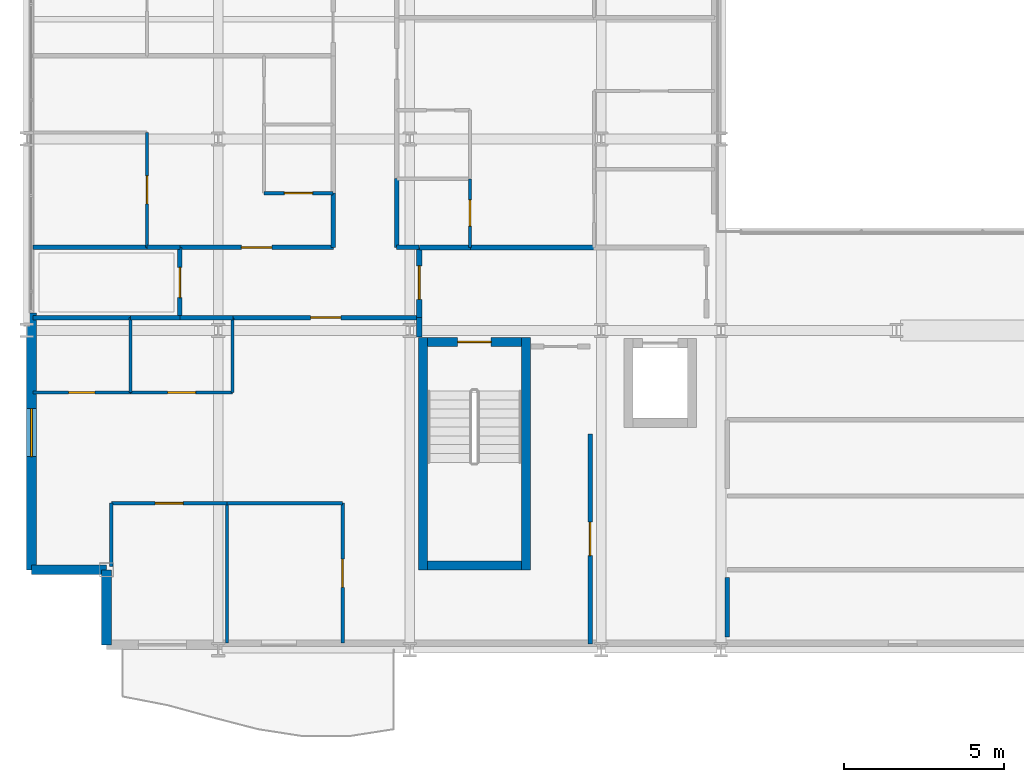
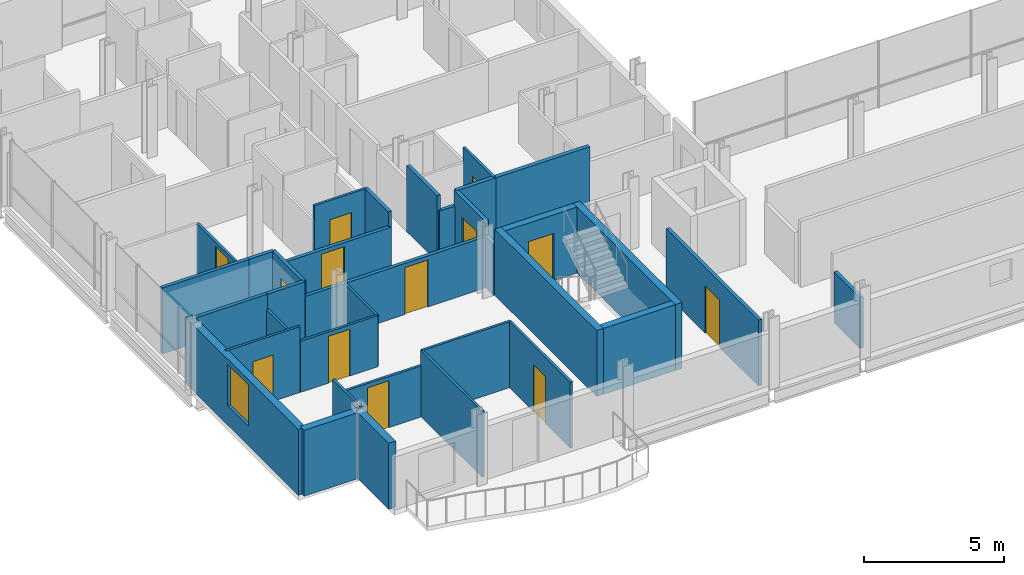
# One storey, part 31 of 41: 36 walls, 13 doors, 1 window, 14 openings.
"""IFC4 building model written with IfcOpenShell, lengths in metres."""

from ifc_helpers import new_model, si_unit, direction, frame, frame_2d, origin, place, context, subcontext, project, spatial, rectangle, extrude, material, layer, layer_set, type_object, element, fill, save


model = new_model("IFC4")

# Units and contexts
model_context = context("Model", 3, precision=1e-05, world=origin(), true_north=direction((0.0, 1.0)))
body_context = subcontext(model_context, "Body", "Model", "MODEL_VIEW")
ifc_project = project(units=[si_unit("LENGTHUNIT", "METRE"), si_unit("AREAUNIT", "SQUARE_METRE"), si_unit("VOLUMEUNIT", "CUBIC_METRE"), si_unit("PLANEANGLEUNIT", "RADIAN"), si_unit("MASSUNIT", "GRAM", prefix="KILO")], contexts=[model_context])

# Site, building, storey
site_placement = place(None, origin())
site = spatial("IfcSite", under=ifc_project, at=site_placement, CompositionType="ELEMENT")
building_placement = place(site_placement, origin())
building = spatial("IfcBuilding", under=site, at=building_placement, Name="Brevholm Reach", CompositionType="ELEMENT")
storey_placement = place(building_placement, frame((0.0, 0.0, 86.89990234375)))
storey = spatial("IfcBuildingStorey", under=building, at=storey_placement, Name="L25", CompositionType="ELEMENT", Elevation=86.89990234375)

# Walls
ifc_material_1 = material(Name="Concrete C50/60", Category="concrete")
ifc_layer_1 = layer(ifc_material_1, 0.280029296875)
ifc_layer_set_1 = layer_set([ifc_layer_1], Name="Concrete C50/60")
wall_type_1 = type_object("IfcWallType", Name="WAL-COR-280", PredefinedType="SHEAR", material=ifc_layer_set_1)
for number, where, z_axis, x_axis, name in (
    (1, (12.409912109375, 2.5, 0.0), (0.0, 0.0, 1.0), (0.0, 1.0, 0.0), "L25 Escape Stair ST-1 Core Wall W"),
    (2, (15.639892578125, 2.5, 0.0), (0.0, 0.0, 1.0), (0.0, 1.0, 0.0), "L25 Escape Stair ST-1 Core Wall E"),
):
    element("IfcWall", number, at=place(storey_placement, frame(where, z_axis=z_axis, x_axis=x_axis)), inside=storey, type_object=wall_type_1, Name=name, PredefinedType="SHEAR", context=body_context, shape_type="SweptSolid", body=[
        extrude(rectangle(XDim=7.280029296875, YDim=0.280029296875, at=frame_2d((3.64013671875, 0.0))), origin(), (0.0, 0.0, 1.0), 2.8701171875),
    ])
wall_1_placement = place(storey_placement, frame((12.550048828125, 2.639892578125, 0.0), z_axis=(0.0, 0.0, 1.0), x_axis=(1.0, 0.0, 0.0)))
element("IfcWall", 3, at=wall_1_placement, inside=storey, type_object=wall_type_1, Name="L25 Escape Stair ST-1 Core Wall S", PredefinedType="SHEAR", context=body_context, shape_type="SweptSolid", body=[
    extrude(rectangle(XDim=2.949951171875, YDim=0.280029296875, at=frame_2d((1.47509765625, 0.0))), origin(), (0.0, 0.0, 1.0), 2.8701171875),
])

# Wall, opening, door
wall_2_placement = place(storey_placement, frame((15.5, 9.639892578125, 0.0), z_axis=(0.0, 0.0, 1.0), x_axis=(-1.0, 0.0, 0.0)))
wall_2 = element("IfcWall", 4, at=wall_2_placement, inside=storey, type_object=wall_type_1, Name="L25 Escape Stair ST-1 Core Wall N", PredefinedType="SHEAR", context=body_context, shape_type="SweptSolid", body=[
    extrude(rectangle(XDim=2.949951171875, YDim=0.280029296875, at=frame_2d((1.47509765625, 0.0))), origin(), (0.0, 0.0, 1.0), 2.8701171875),
])
opening_1_placement = place(wall_2_placement, frame((0.949951171875, 0.0, 0.0)))
opening_1 = element("IfcOpeningElement", 5, at=opening_1_placement, cuts=wall_2, Name="Opening SD-ST-1", PredefinedType="OPENING", context=body_context, shape_type="SweptSolid", body=[
    extrude(rectangle(XDim=1.050048828125, YDim=2.06005859375, at=frame_2d((0.52490234375, 1.030029296875))), frame((0.0, 0.14990234375, 0.0), z_axis=(0.0, -1.0, 0.0), x_axis=(1.0, 0.0, 0.0)), (0.0, 0.0, 1.0), 0.300048828125),
])
ifc_material_2 = material(Name="Hardwood-Lipped Steel-Core Fire and Smoke Door", Category="steel")
door_type_1 = type_object("IfcDoorType", Name="DOR-INT-FD60S", OperationType="NOTDEFINED", PredefinedType="DOOR", material=ifc_material_2)
door_1_placement = place(opening_1_placement, origin())
door_1 = element("IfcDoor", 6, at=door_1_placement, inside=storey, type_object=door_type_1, Name="L25 Protected Stair ST-1 Lobby Door", OperationType="SINGLE_SWING_LEFT", OverallHeight=2.06005859375, OverallWidth=1.050048828125, PredefinedType="DOOR", context=body_context, shape_type="SweptSolid", body=[
    extrude(rectangle(XDim=1.050048828125, YDim=2.06005859375, at=frame_2d((0.52490234375, 1.030029296875))), frame((0.0, 0.02490234375, 0.0), z_axis=(0.0, -1.0, 0.0), x_axis=(1.0, 0.0, 0.0)), (0.0, 0.0, 1.0), 0.050048828125),
])
fill(opening_1, door_1)

# Walls
ifc_material_3 = material(Name="Concrete C40/50", Category="concrete")
ifc_layer_2 = layer(ifc_material_3, 0.300048828125)
ifc_layer_set_2 = layer_set([ifc_layer_2], Name="Concrete C40/50")
wall_type_2 = type_object("IfcWallType", Name="WAL-EXT-300", PredefinedType="STANDARD", material=ifc_layer_set_2)
for number, where, z_axis, x_axis, name in (
    (7, (2.5, 2.5, 0.0), (0.0, 0.0, 1.0), (0.0, -1.0, 0.0), "L25 Facade Wall WAL-L25-CSW1"),
    (8, (0.14990234375, 2.5, 0.0), (0.0, 0.0, 1.0), (1.0, 0.0, 0.0), "L25 Facade Wall WAL-L25-CSW2"),
):
    element("IfcWall", number, at=place(storey_placement, frame(where, z_axis=z_axis, x_axis=x_axis)), inside=storey, type_object=wall_type_2, Name=name, PredefinedType="STANDARD", context=body_context, shape_type="SweptSolid", body=[
        extrude(rectangle(XDim=2.35009765625, YDim=0.300048828125, at=frame_2d((1.175048828125, 0.0))), origin(), (0.0, 0.0, 1.0), 2.8701171875),
    ])

# Wall, opening, window
wall_3_placement = place(storey_placement, frame((0.14990234375, 10.550048828125, 0.0), z_axis=(0.0, 0.0, 1.0), x_axis=(0.0, -1.0, 0.0)))
wall_3 = element("IfcWall", 9, at=wall_3_placement, inside=storey, type_object=wall_type_2, Name="L25 Facade Wall WAL-L25-W-S", PredefinedType="STANDARD", context=body_context, shape_type="SweptSolid", body=[
    extrude(rectangle(XDim=8.050048828125, YDim=0.300048828125, at=frame_2d((4.02490234375, 0.0))), origin(), (0.0, 0.0, 1.0), 2.8701171875),
])
opening_2_placement = place(wall_3_placement, frame((3.0, 0.0, 0.85009765625)))
opening_2 = element("IfcOpeningElement", 10, at=opening_2_placement, cuts=wall_3, Name="Opening WN-05", PredefinedType="OPENING", context=body_context, shape_type="SweptSolid", body=[
    extrude(rectangle(XDim=1.5, YDim=1.800048828125, at=frame_2d((0.75, 0.89990234375))), frame((0.0, 0.159912109375, 0.0), z_axis=(0.0, -1.0, 0.0), x_axis=(1.0, 0.0, 0.0)), (0.0, 0.0, 1.0), 0.320068359375),
])
ifc_material_4 = material(Name="Dark Anodised Aluminium and Solar-Control IGU Glass", Category="aluminium")
window_type = type_object("IfcWindowType", Name="WIN-RES-1500", PartitioningType="SINGLE_PANEL", PredefinedType="WINDOW", material=ifc_material_4)
window_placement = place(opening_2_placement, origin())
window = element("IfcWindow", 11, at=window_placement, inside=storey, type_object=window_type, Name="L25 Window WIN-L25-WS-1", OverallHeight=1.800048828125, OverallWidth=1.5, PartitioningType="SINGLE_PANEL", PredefinedType="WINDOW", context=body_context, shape_type="SweptSolid", body=[
    extrude(rectangle(XDim=1.5, YDim=1.800048828125, at=frame_2d((0.75, 0.89990234375))), frame((0.0, 0.030029296875, 0.0), z_axis=(0.0, -1.0, 0.0), x_axis=(1.0, 0.0, 0.0)), (0.0, 0.0, 1.0), 0.06005859375),
])
fill(opening_2, window)

# Wall
ifc_material_5 = material(Name="Moisture-Resistant Acoustic Gypsum Stud Partition 100 mm", Category="gypsum")
ifc_layer_3 = layer(ifc_material_5, 0.10009765625)
ifc_layer_set_3 = layer_set([ifc_layer_3], Name="Moisture-Resistant Acoustic Gypsum Stud Partition 100 mm")
wall_type_3 = type_object("IfcWallType", Name="WAL-PRT-100", PredefinedType="PARTITIONING", material=ifc_layer_set_3)
wall_4_placement = place(storey_placement, frame((3.25, 8.053955078125, 0.0), z_axis=(0.0, 0.0, 1.0), x_axis=(0.0, 1.0, 0.0)))
element("IfcWall", 12, at=wall_4_placement, inside=storey, type_object=wall_type_3, Name="L25 Internal Partition 062", PredefinedType="PARTITIONING", context=body_context, shape_type="SweptSolid", body=[
    extrude(rectangle(XDim=2.345947265625, YDim=0.10009765625, at=frame_2d((1.1728515625, 0.0))), origin(), (0.0, 0.0, 1.0), 2.224853515625),
])

# Wall, opening, door
wall_5_placement = place(storey_placement, frame((0.199951171875, 8.053955078125, 0.0), z_axis=(0.0, 0.0, 1.0), x_axis=(1.0, 0.0, 0.0)))
wall_5 = element("IfcWall", 13, at=wall_5_placement, inside=storey, type_object=wall_type_3, Name="L25 Internal Partition 063", PredefinedType="PARTITIONING", context=body_context, shape_type="SweptSolid", body=[
    extrude(rectangle(XDim=3.050048828125, YDim=0.10009765625, at=frame_2d((1.52490234375, 0.0))), origin(), (0.0, 0.0, 1.0), 2.8701171875),
])
opening_3_placement = place(wall_5_placement, frame((1.114990234375, 0.0, 0.0)))
opening_3 = element("IfcOpeningElement", 14, at=opening_3_placement, cuts=wall_5, Name="Opening ID-03", PredefinedType="OPENING", context=body_context, shape_type="SweptSolid", body=[
    extrude(rectangle(XDim=0.820068359375, YDim=2.02001953125, at=frame_2d((0.41015625, 1.010009765625))), frame((0.0, 0.06005859375, 0.0), z_axis=(0.0, -1.0, 0.0), x_axis=(1.0, 0.0, 0.0)), (0.0, 0.0, 1.0), 0.1201171875),
])
ifc_material_6 = material(Name="Moisture-Resistant Painted Timber Internal Bathroom Door", Category="wood")
door_type_2 = type_object("IfcDoorType", Name="DOR-BATH-820", OperationType="NOTDEFINED", PredefinedType="DOOR", material=ifc_material_6)
door_2_placement = place(opening_3_placement, origin())
door_2 = element("IfcDoor", 15, at=door_2_placement, inside=storey, type_object=door_type_2, Name="L25 Internal Door 024", OperationType="SINGLE_SWING_LEFT", OverallHeight=2.02001953125, OverallWidth=0.820068359375, PredefinedType="DOOR", context=body_context, shape_type="SweptSolid", body=[
    extrude(rectangle(XDim=0.820068359375, YDim=2.02001953125, at=frame_2d((0.41015625, 1.010009765625))), frame((0.0, 0.02490234375, 0.0), z_axis=(0.0, -1.0, 0.0), x_axis=(1.0, 0.0, 0.0)), (0.0, 0.0, 1.0), 0.050048828125),
])
fill(opening_3, door_2)

wall_6_placement = place(storey_placement, frame((3.25390625, 8.053955078125, 0.0), z_axis=(0.0, 0.0, 1.0), x_axis=(1.0, 0.0, 0.0)))
wall_6 = element("IfcWall", 16, at=wall_6_placement, inside=storey, type_object=wall_type_3, Name="L25 Internal Partition 065", PredefinedType="PARTITIONING", context=body_context, shape_type="SweptSolid", body=[
    extrude(rectangle(XDim=3.196044921875, YDim=0.10009765625, at=frame_2d((1.59814453125, 0.0))), origin(), (0.0, 0.0, 1.0), 2.224853515625),
])
opening_4_placement = place(wall_6_placement, frame((1.157958984375, 0.0, 0.0)))
opening_4 = element("IfcOpeningElement", 17, at=opening_4_placement, cuts=wall_6, Name="Opening ID-01", PredefinedType="OPENING", context=body_context, shape_type="SweptSolid", body=[
    extrude(rectangle(XDim=0.8798828125, YDim=2.0400390625, at=frame_2d((0.43994140625, 1.02001953125))), frame((0.0, 0.06005859375, 0.0), z_axis=(0.0, -1.0, 0.0), x_axis=(1.0, 0.0, 0.0)), (0.0, 0.0, 1.0), 0.1201171875),
])
ifc_material_7 = material(Name="Lacquered Ash Solid-Core Acoustic Internal Door", Category="timber")
door_type_3 = type_object("IfcDoorType", Name="DOR-INT-880", OperationType="NOTDEFINED", PredefinedType="DOOR", material=ifc_material_7)
door_3_placement = place(opening_4_placement, origin())
door_3 = element("IfcDoor", 18, at=door_3_placement, inside=storey, type_object=door_type_3, Name="L25 Internal Door 025", OperationType="SINGLE_SWING_RIGHT", OverallHeight=2.0400390625, OverallWidth=0.8798828125, PredefinedType="DOOR", context=body_context, shape_type="SweptSolid", body=[
    extrude(rectangle(XDim=0.8798828125, YDim=2.0400390625, at=frame_2d((0.43994140625, 1.02001953125))), frame((0.0, 0.02490234375, 0.0), z_axis=(0.0, -1.0, 0.0), x_axis=(1.0, 0.0, 0.0)), (0.0, 0.0, 1.0), 0.050048828125),
])
fill(opening_4, door_3)

# Walls
wall_7_placement = place(storey_placement, frame((6.449951171875, 8.053955078125, 0.0), z_axis=(0.0, 0.0, 1.0), x_axis=(0.0, 1.0, 0.0)))
element("IfcWall", 19, at=wall_7_placement, inside=storey, type_object=wall_type_3, Name="L25 Internal Partition 066", PredefinedType="PARTITIONING", context=body_context, shape_type="SweptSolid", body=[
    extrude(rectangle(XDim=2.342041015625, YDim=0.10009765625, at=frame_2d((1.1708984375, 0.0))), origin(), (0.0, 0.0, 1.0), 2.224853515625),
])
wall_8_placement = place(storey_placement, frame((6.27490234375, 0.199951171875, 0.0), z_axis=(0.0, 0.0, 1.0), x_axis=(0.0, 1.0, 0.0)))
element("IfcWall", 20, at=wall_8_placement, inside=storey, type_object=wall_type_3, Name="L25 Internal Partition 068", PredefinedType="PARTITIONING", context=body_context, shape_type="SweptSolid", body=[
    extrude(rectangle(XDim=4.385986328125, YDim=0.10009765625, at=frame_2d((2.19287109375, 0.0))), origin(), (0.0, 0.0, 1.0), 2.8701171875),
])
wall_9_placement = place(storey_placement, frame((2.64990234375, 2.599365234375, 0.0), z_axis=(0.0, 0.0, 1.0), x_axis=(0.0, 1.0, 0.0)))
element("IfcWall", 21, at=wall_9_placement, inside=storey, type_object=wall_type_3, Name="L25 Internal Partition 069", PredefinedType="PARTITIONING", context=body_context, shape_type="SweptSolid", body=[
    extrude(rectangle(XDim=1.986572265625, YDim=0.10009765625, at=frame_2d((0.9931640625, 0.0))), origin(), (0.0, 0.0, 1.0), 2.8701171875),
])

# Wall, opening, door
wall_10_placement = place(storey_placement, frame((2.64990234375, 4.5859375, 0.0), z_axis=(0.0, 0.0, 1.0), x_axis=(1.0, 0.0, 0.0)))
wall_10 = element("IfcWall", 22, at=wall_10_placement, inside=storey, type_object=wall_type_3, Name="L25 Internal Partition 070", PredefinedType="PARTITIONING", context=body_context, shape_type="SweptSolid", body=[
    extrude(rectangle(XDim=3.625, YDim=0.10009765625, at=frame_2d((1.8125, 0.0))), origin(), (0.0, 0.0, 1.0), 2.224853515625),
])
opening_5_placement = place(wall_10_placement, frame((1.37255859375, 0.0, 0.0)))
opening_5 = element("IfcOpeningElement", 23, at=opening_5_placement, cuts=wall_10, Name="Opening ID-01", PredefinedType="OPENING", context=body_context, shape_type="SweptSolid", body=[
    extrude(rectangle(XDim=0.8798828125, YDim=2.0400390625, at=frame_2d((0.43994140625, 1.02001953125))), frame((0.0, 0.06005859375, 0.0), z_axis=(0.0, -1.0, 0.0), x_axis=(1.0, 0.0, 0.0)), (0.0, 0.0, 1.0), 0.1201171875),
])
door_4_placement = place(opening_5_placement, origin())
door_4 = element("IfcDoor", 24, at=door_4_placement, inside=storey, type_object=door_type_3, Name="L25 Internal Door 026", OperationType="SINGLE_SWING_LEFT", OverallHeight=2.0400390625, OverallWidth=0.8798828125, PredefinedType="DOOR", context=body_context, shape_type="SweptSolid", body=[
    extrude(rectangle(XDim=0.8798828125, YDim=2.0400390625, at=frame_2d((0.43994140625, 1.02001953125))), frame((0.0, 0.02490234375, 0.0), z_axis=(0.0, -1.0, 0.0), x_axis=(1.0, 0.0, 0.0)), (0.0, 0.0, 1.0), 0.050048828125),
])
fill(opening_5, door_4)

wall_11_placement = place(storey_placement, frame((9.89990234375, 0.199951171875, 0.0), z_axis=(0.0, 0.0, 1.0), x_axis=(0.0, 1.0, 0.0)))
wall_11 = element("IfcWall", 25, at=wall_11_placement, inside=storey, type_object=wall_type_3, Name="L25 Internal Partition 071", PredefinedType="PARTITIONING", context=body_context, shape_type="SweptSolid", body=[
    extrude(rectangle(XDim=4.385986328125, YDim=0.10009765625, at=frame_2d((2.19287109375, 0.0))), origin(), (0.0, 0.0, 1.0), 2.8701171875),
])
opening_6_placement = place(wall_11_placement, frame((1.7529296875, 0.0, 0.0)))
opening_6 = element("IfcOpeningElement", 26, at=opening_6_placement, cuts=wall_11, Name="Opening ID-01", PredefinedType="OPENING", context=body_context, shape_type="SweptSolid", body=[
    extrude(rectangle(XDim=0.8798828125, YDim=2.0400390625, at=frame_2d((0.43994140625, 1.02001953125))), frame((0.0, 0.06005859375, 0.0), z_axis=(0.0, -1.0, 0.0), x_axis=(1.0, 0.0, 0.0)), (0.0, 0.0, 1.0), 0.1201171875),
])
door_5_placement = place(opening_6_placement, origin())
door_5 = element("IfcDoor", 27, at=door_5_placement, inside=storey, type_object=door_type_3, Name="L25 Internal Door 027", OperationType="SINGLE_SWING_RIGHT", OverallHeight=2.0400390625, OverallWidth=0.8798828125, PredefinedType="DOOR", context=body_context, shape_type="SweptSolid", body=[
    extrude(rectangle(XDim=0.8798828125, YDim=2.0400390625, at=frame_2d((0.43994140625, 1.02001953125))), frame((0.0, 0.02490234375, 0.0), z_axis=(0.0, -1.0, 0.0), x_axis=(1.0, 0.0, 0.0)), (0.0, 0.0, 1.0), 0.050048828125),
])
fill(opening_6, door_5)

# Wall
wall_12_placement = place(storey_placement, frame((6.279052734375, 4.5859375, 0.0), z_axis=(0.0, 0.0, 1.0), x_axis=(1.0, 0.0, 0.0)))
element("IfcWall", 28, at=wall_12_placement, inside=storey, type_object=wall_type_3, Name="L25 Internal Partition 072", PredefinedType="PARTITIONING", context=body_context, shape_type="SweptSolid", body=[
    extrude(rectangle(XDim=3.620849609375, YDim=0.10009765625, at=frame_2d((1.810546875, 0.0))), origin(), (0.0, 0.0, 1.0), 2.8701171875),
])

# Wall, opening, door
wall_13_placement = place(storey_placement, frame((7.43798828125, 14.300048828125, 0.0), z_axis=(0.0, 0.0, 1.0), x_axis=(1.0, 0.0, 0.0)))
wall_13 = element("IfcWall", 29, at=wall_13_placement, inside=storey, type_object=wall_type_3, Name="L25 Internal Partition 088", PredefinedType="PARTITIONING", context=body_context, shape_type="SweptSolid", body=[
    extrude(rectangle(XDim=2.157958984375, YDim=0.10009765625, at=frame_2d((1.0791015625, 0.0))), origin(), (0.0, 0.0, 1.0), 2.8701171875),
])
opening_7_placement = place(wall_13_placement, frame((0.638916015625, 0.0, 0.0)))
opening_7 = element("IfcOpeningElement", 30, at=opening_7_placement, cuts=wall_13, Name="Opening ID-01", PredefinedType="OPENING", context=body_context, shape_type="SweptSolid", body=[
    extrude(rectangle(XDim=0.8798828125, YDim=2.0400390625, at=frame_2d((0.43994140625, 1.02001953125))), frame((0.0, 0.06005859375, 0.0), z_axis=(0.0, -1.0, 0.0), x_axis=(1.0, 0.0, 0.0)), (0.0, 0.0, 1.0), 0.1201171875),
])
door_6_placement = place(opening_7_placement, origin())
door_6 = element("IfcDoor", 31, at=door_6_placement, inside=storey, type_object=door_type_3, Name="L25 Internal Door 032", OperationType="SINGLE_SWING_LEFT", OverallHeight=2.0400390625, OverallWidth=0.8798828125, PredefinedType="DOOR", context=body_context, shape_type="SweptSolid", body=[
    extrude(rectangle(XDim=0.8798828125, YDim=2.0400390625, at=frame_2d((0.43994140625, 1.02001953125))), frame((0.0, 0.02490234375, 0.0), z_axis=(0.0, -1.0, 0.0), x_axis=(1.0, 0.0, 0.0)), (0.0, 0.0, 1.0), 0.050048828125),
])
fill(opening_7, door_6)

wall_14_placement = place(storey_placement, frame((3.77197265625, 12.60400390625, 0.0), z_axis=(0.0, 0.0, 1.0), x_axis=(0.0, 1.0, 0.0)))
wall_14 = element("IfcWall", 32, at=wall_14_placement, inside=storey, type_object=wall_type_3, Name="L25 Internal Partition 090", PredefinedType="PARTITIONING", context=body_context, shape_type="SweptSolid", body=[
    extrude(rectangle(XDim=3.595947265625, YDim=0.10009765625, at=frame_2d((1.7978515625, 0.0))), origin(), (0.0, 0.0, 1.0), 2.224853515625),
])
opening_8_placement = place(wall_14_placement, frame((1.35791015625, 0.0, 0.0)))
opening_8 = element("IfcOpeningElement", 33, at=opening_8_placement, cuts=wall_14, Name="Opening ID-01", PredefinedType="OPENING", context=body_context, shape_type="SweptSolid", body=[
    extrude(rectangle(XDim=0.8798828125, YDim=2.0400390625, at=frame_2d((0.43994140625, 1.02001953125))), frame((0.0, 0.06005859375, 0.0), z_axis=(0.0, -1.0, 0.0), x_axis=(1.0, 0.0, 0.0)), (0.0, 0.0, 1.0), 0.1201171875),
])
door_7_placement = place(opening_8_placement, origin())
door_7 = element("IfcDoor", 34, at=door_7_placement, inside=storey, type_object=door_type_3, Name="L25 Internal Door 033", OperationType="SINGLE_SWING_RIGHT", OverallHeight=2.0400390625, OverallWidth=0.8798828125, PredefinedType="DOOR", context=body_context, shape_type="SweptSolid", body=[
    extrude(rectangle(XDim=0.8798828125, YDim=2.0400390625, at=frame_2d((0.43994140625, 1.02001953125))), frame((0.0, 0.02490234375, 0.0), z_axis=(0.0, -1.0, 0.0), x_axis=(1.0, 0.0, 0.0)), (0.0, 0.0, 1.0), 0.050048828125),
])
fill(opening_8, door_7)

wall_15_placement = place(storey_placement, frame((13.888916015625, 12.60400390625, 0.0), z_axis=(0.0, 0.0, 1.0), x_axis=(0.0, 1.0, 0.0)))
wall_15 = element("IfcWall", 35, at=wall_15_placement, inside=storey, type_object=wall_type_3, Name="L25 Internal Partition 110", PredefinedType="PARTITIONING", context=body_context, shape_type="SweptSolid", body=[
    extrude(rectangle(XDim=2.14599609375, YDim=0.10009765625, at=frame_2d((1.072998046875, 0.0))), origin(), (0.0, 0.0, 1.0), 2.8701171875),
])
opening_9_placement = place(wall_15_placement, frame((0.6630859375, 0.0, 0.0)))
opening_9 = element("IfcOpeningElement", 36, at=opening_9_placement, cuts=wall_15, Name="Opening ID-03", PredefinedType="OPENING", context=body_context, shape_type="SweptSolid", body=[
    extrude(rectangle(XDim=0.820068359375, YDim=2.02001953125, at=frame_2d((0.41015625, 1.010009765625))), frame((0.0, 0.06005859375, 0.0), z_axis=(0.0, -1.0, 0.0), x_axis=(1.0, 0.0, 0.0)), (0.0, 0.0, 1.0), 0.1201171875),
])
door_8_placement = place(opening_9_placement, origin())
door_8 = element("IfcDoor", 37, at=door_8_placement, inside=storey, type_object=door_type_2, Name="L25 Internal Door 040", OperationType="SINGLE_SWING_LEFT", OverallHeight=2.02001953125, OverallWidth=0.820068359375, PredefinedType="DOOR", context=body_context, shape_type="SweptSolid", body=[
    extrude(rectangle(XDim=0.820068359375, YDim=2.02001953125, at=frame_2d((0.41015625, 1.010009765625))), frame((0.0, 0.02490234375, 0.0), z_axis=(0.0, -1.0, 0.0), x_axis=(1.0, 0.0, 0.0)), (0.0, 0.0, 1.0), 0.050048828125),
])
fill(opening_9, door_8)

ifc_material_8 = material(Name="Twin-Stud Acoustic Fire-Rated Gypsum Partition 140 mm", Category="gypsum")
ifc_layer_4 = layer(ifc_material_8, 0.139892578125)
ifc_layer_set_4 = layer_set([ifc_layer_4], Name="Twin-Stud Acoustic Fire-Rated Gypsum Partition 140 mm")
wall_type_4 = type_object("IfcWallType", Name="WAL-PRT-140", PredefinedType="PARTITIONING", material=ifc_layer_set_4)
wall_16_placement = place(storey_placement, frame((17.64990234375, 0.179931640625, 0.0), z_axis=(0.0, 0.0, 1.0), x_axis=(0.0, 1.0, 0.0)))
wall_16 = element("IfcWall", 38, at=wall_16_placement, inside=storey, type_object=wall_type_4, Name="L25 Internal Partition 006", PredefinedType="PARTITIONING", context=body_context, shape_type="SweptSolid", body=[
    extrude(rectangle(XDim=6.581298828125, YDim=0.139892578125, at=frame_2d((3.29052734375, 0.0))), origin(), (0.0, 0.0, 1.0), 2.8701171875),
])
opening_10_placement = place(wall_16_placement, frame((2.765625, 0.0, 0.0)))
opening_10 = element("IfcOpeningElement", 39, at=opening_10_placement, cuts=wall_16, Name="Opening FD-01", PredefinedType="OPENING", context=body_context, shape_type="SweptSolid", body=[
    extrude(rectangle(XDim=1.050048828125, YDim=2.06005859375, at=frame_2d((0.52490234375, 1.030029296875))), frame((0.0, 0.079833984375, 0.0), z_axis=(0.0, -1.0, 0.0), x_axis=(1.0, 0.0, 0.0)), (0.0, 0.0, 1.0), 0.159912109375),
])
door_9_placement = place(opening_10_placement, origin())
door_9 = element("IfcDoor", 40, at=door_9_placement, inside=storey, type_object=door_type_1, Name="L25 Internal Door 004", OperationType="SINGLE_SWING_LEFT", OverallHeight=2.06005859375, OverallWidth=1.050048828125, PredefinedType="DOOR", context=body_context, shape_type="SweptSolid", body=[
    extrude(rectangle(XDim=1.050048828125, YDim=2.06005859375, at=frame_2d((0.52490234375, 1.030029296875))), frame((0.0, 0.02490234375, 0.0), z_axis=(0.0, -1.0, 0.0), x_axis=(1.0, 0.0, 0.0)), (0.0, 0.0, 1.0), 0.050048828125),
])
fill(opening_10, door_9)

# Wall
wall_17_placement = place(storey_placement, frame((4.800048828125, 10.39990234375, 0.0), z_axis=(0.0, 0.0, 1.0), x_axis=(1.0, 0.0, 0.0)))
element("IfcWall", 41, at=wall_17_placement, inside=storey, type_object=wall_type_4, Name="L25 Internal Partition 022", PredefinedType="PARTITIONING", context=body_context, shape_type="SweptSolid", body=[
    extrude(rectangle(XDim=1.6611328125, YDim=0.139892578125, at=frame_2d((0.83056640625, 0.0))), origin(), (0.0, 0.0, 1.0), 2.224853515625),
])

# Wall, opening, door
wall_18_placement = place(storey_placement, frame((6.442626953125, 10.39990234375, 0.0), z_axis=(0.0, 0.0, 1.0), x_axis=(1.0, 0.0, 0.0)))
wall_18 = element("IfcWall", 42, at=wall_18_placement, inside=storey, type_object=wall_type_4, Name="L25 Internal Partition 023", PredefinedType="PARTITIONING", context=body_context, shape_type="SweptSolid", body=[
    extrude(rectangle(XDim=5.853271484375, YDim=0.139892578125, at=frame_2d((2.9267578125, 0.0))), origin(), (0.0, 0.0, 1.0), 2.224853515625),
])
opening_11_placement = place(wall_18_placement, frame((2.45166015625, 0.0, 0.0)))
opening_11 = element("IfcOpeningElement", 43, at=opening_11_placement, cuts=wall_18, Name="Opening ID-30", PredefinedType="OPENING", context=body_context, shape_type="SweptSolid", body=[
    extrude(rectangle(XDim=0.949951171875, YDim=2.050048828125, at=frame_2d((0.47509765625, 1.02490234375))), frame((0.0, 0.079833984375, 0.0), z_axis=(0.0, -1.0, 0.0), x_axis=(1.0, 0.0, 0.0)), (0.0, 0.0, 1.0), 0.159912109375),
])
ifc_material_9 = material(Name="European Oak Veneered Solid-Core Fire Entrance Door", Category="timber")
door_type_4 = type_object("IfcDoorType", Name="DOR-FLT-FD30S", OperationType="NOTDEFINED", PredefinedType="DOOR", material=ifc_material_9)
door_10_placement = place(opening_11_placement, origin())
door_10 = element("IfcDoor", 44, at=door_10_placement, inside=storey, type_object=door_type_4, Name="L25 Internal Door 013", OperationType="SINGLE_SWING_RIGHT", OverallHeight=2.050048828125, OverallWidth=0.949951171875, PredefinedType="DOOR", context=body_context, shape_type="SweptSolid", body=[
    extrude(rectangle(XDim=0.949951171875, YDim=2.050048828125, at=frame_2d((0.47509765625, 1.02490234375))), frame((0.0, 0.02490234375, 0.0), z_axis=(0.0, -1.0, 0.0), x_axis=(1.0, 0.0, 0.0)), (0.0, 0.0, 1.0), 0.050048828125),
])
fill(opening_11, door_10)

wall_19_placement = place(storey_placement, frame((4.800048828125, 10.39990234375, 0.0), z_axis=(0.0, 0.0, 1.0), x_axis=(0.0, 1.0, 0.0)))
wall_19 = element("IfcWall", 45, at=wall_19_placement, inside=storey, type_object=wall_type_4, Name="L25 Internal Partition 024", PredefinedType="PARTITIONING", context=body_context, shape_type="SweptSolid", body=[
    extrude(rectangle(XDim=2.2001953125, YDim=0.139892578125, at=frame_2d((1.10009765625, 0.0))), origin(), (0.0, 0.0, 1.0), 2.8701171875),
])
opening_12_placement = place(wall_19_placement, frame((0.625, 0.0, 0.0)))
opening_12 = element("IfcOpeningElement", 46, at=opening_12_placement, cuts=wall_19, Name="Opening ID-30", PredefinedType="OPENING", context=body_context, shape_type="SweptSolid", body=[
    extrude(rectangle(XDim=0.949951171875, YDim=2.050048828125, at=frame_2d((0.47509765625, 1.02490234375))), frame((0.0, 0.079833984375, 0.0), z_axis=(0.0, -1.0, 0.0), x_axis=(1.0, 0.0, 0.0)), (0.0, 0.0, 1.0), 0.159912109375),
])
door_11_placement = place(opening_12_placement, origin())
door_11 = element("IfcDoor", 47, at=door_11_placement, inside=storey, type_object=door_type_4, Name="L25 Internal Door 014", OperationType="SINGLE_SWING_LEFT", OverallHeight=2.050048828125, OverallWidth=0.949951171875, PredefinedType="DOOR", context=body_context, shape_type="SweptSolid", body=[
    extrude(rectangle(XDim=0.949951171875, YDim=2.050048828125, at=frame_2d((0.47509765625, 1.02490234375))), frame((0.0, 0.02490234375, 0.0), z_axis=(0.0, -1.0, 0.0), x_axis=(1.0, 0.0, 0.0)), (0.0, 0.0, 1.0), 0.050048828125),
])
fill(opening_12, door_11)

wall_20_placement = place(storey_placement, frame((4.800048828125, 12.60009765625, 0.0), z_axis=(0.0, 0.0, 1.0), x_axis=(1.0, 0.0, 0.0)))
wall_20 = element("IfcWall", 48, at=wall_20_placement, inside=storey, type_object=wall_type_4, Name="L25 Internal Partition 025", PredefinedType="PARTITIONING", context=body_context, shape_type="SweptSolid", body=[
    extrude(rectangle(XDim=4.807373046875, YDim=0.139892578125, at=frame_2d((2.40380859375, 0.0))), origin(), (0.0, 0.0, 1.0), 2.224853515625),
])
opening_13_placement = place(wall_20_placement, frame((1.9287109375, 0.0, 0.0)))
opening_13 = element("IfcOpeningElement", 49, at=opening_13_placement, cuts=wall_20, Name="Opening ID-30", PredefinedType="OPENING", context=body_context, shape_type="SweptSolid", body=[
    extrude(rectangle(XDim=0.949951171875, YDim=2.050048828125, at=frame_2d((0.47509765625, 1.02490234375))), frame((0.0, 0.079833984375, 0.0), z_axis=(0.0, -1.0, 0.0), x_axis=(1.0, 0.0, 0.0)), (0.0, 0.0, 1.0), 0.159912109375),
])
door_12_placement = place(opening_13_placement, origin())
door_12 = element("IfcDoor", 50, at=door_12_placement, inside=storey, type_object=door_type_4, Name="L25 Internal Door 015", OperationType="SINGLE_SWING_RIGHT", OverallHeight=2.050048828125, OverallWidth=0.949951171875, PredefinedType="DOOR", context=body_context, shape_type="SweptSolid", body=[
    extrude(rectangle(XDim=0.949951171875, YDim=2.050048828125, at=frame_2d((0.47509765625, 1.02490234375))), frame((0.0, 0.02490234375, 0.0), z_axis=(0.0, -1.0, 0.0), x_axis=(1.0, 0.0, 0.0)), (0.0, 0.0, 1.0), 0.050048828125),
])
fill(opening_13, door_12)

# Walls
wall_21_placement = place(storey_placement, frame((11.5927734375, 12.60009765625, 0.0), z_axis=(0.0, 0.0, 1.0), x_axis=(1.0, 0.0, 0.0)))
element("IfcWall", 51, at=wall_21_placement, inside=storey, type_object=wall_type_4, Name="L25 Internal Partition 026", PredefinedType="PARTITIONING", context=body_context, shape_type="SweptSolid", body=[
    extrude(rectangle(XDim=0.703125, YDim=0.139892578125, at=frame_2d((0.3515625, 0.0))), origin(), (0.0, 0.0, 1.0), 2.224853515625),
])
wall_22_placement = place(storey_placement, frame((9.60009765625, 12.60400390625, 0.0), z_axis=(0.0, 0.0, 1.0), x_axis=(0.0, 1.0, 0.0)))
element("IfcWall", 52, at=wall_22_placement, inside=storey, type_object=wall_type_4, Name="L25 Internal Partition 032", PredefinedType="PARTITIONING", context=body_context, shape_type="SweptSolid", body=[
    extrude(rectangle(XDim=1.703369140625, YDim=0.139892578125, at=frame_2d((0.8515625, 0.0))), origin(), (0.0, 0.0, 1.0), 2.8701171875),
])
wall_23_placement = place(storey_placement, frame((11.60009765625, 12.60400390625, 0.0), z_axis=(0.0, 0.0, 1.0), x_axis=(0.0, 1.0, 0.0)))
element("IfcWall", 53, at=wall_23_placement, inside=storey, type_object=wall_type_4, Name="L25 Internal Partition 039", PredefinedType="PARTITIONING", context=body_context, shape_type="SweptSolid", body=[
    extrude(rectangle(XDim=2.1572265625, YDim=0.139892578125, at=frame_2d((1.07861328125, 0.0))), origin(), (0.0, 0.0, 1.0), 2.8701171875),
])
wall_24_placement = place(storey_placement, frame((0.199951171875, 10.39990234375, 0.0), z_axis=(0.0, 0.0, 1.0), x_axis=(1.0, 0.0, 0.0)))
element("IfcWall", 54, at=wall_24_placement, inside=storey, type_object=wall_type_4, Name="L25 Internal Partition 064", PredefinedType="PARTITIONING", context=body_context, shape_type="SweptSolid", body=[
    extrude(rectangle(XDim=3.050048828125, YDim=0.139892578125, at=frame_2d((1.52490234375, 0.0))), origin(), (0.0, 0.0, 1.0), 2.8701171875),
])
wall_25_placement = place(storey_placement, frame((3.25390625, 10.39990234375, 0.0), z_axis=(0.0, 0.0, 1.0), x_axis=(1.0, 0.0, 0.0)))
element("IfcWall", 55, at=wall_25_placement, inside=storey, type_object=wall_type_4, Name="L25 Internal Partition 067", PredefinedType="PARTITIONING", context=body_context, shape_type="SweptSolid", body=[
    extrude(rectangle(XDim=1.5419921875, YDim=0.139892578125, at=frame_2d((0.77099609375, 0.0))), origin(), (0.0, 0.0, 1.0), 2.8701171875),
])
wall_26_placement = place(storey_placement, frame((0.199951171875, 12.60009765625, 0.0), z_axis=(0.0, 0.0, 1.0), x_axis=(1.0, 0.0, 0.0)))
element("IfcWall", 56, at=wall_26_placement, inside=storey, type_object=wall_type_4, Name="L25 Internal Partition 073", PredefinedType="PARTITIONING", context=body_context, shape_type="SweptSolid", body=[
    extrude(rectangle(XDim=3.583251953125, YDim=0.139892578125, at=frame_2d((1.79150390625, 0.0))), origin(), (0.0, 0.0, 1.0), 2.8701171875),
])
wall_27_placement = place(storey_placement, frame((3.7646484375, 12.60009765625, 0.0), z_axis=(0.0, 0.0, 1.0), x_axis=(1.0, 0.0, 0.0)))
element("IfcWall", 57, at=wall_27_placement, inside=storey, type_object=wall_type_4, Name="L25 Internal Partition 074", PredefinedType="PARTITIONING", context=body_context, shape_type="SweptSolid", body=[
    extrude(rectangle(XDim=1.03125, YDim=0.139892578125, at=frame_2d((0.515625, 0.0))), origin(), (0.0, 0.0, 1.0), 2.8701171875),
])
wall_28_placement = place(storey_placement, frame((21.949951171875, 0.389892578125, 0.0), z_axis=(0.0, 0.0, 1.0), x_axis=(0.0, 1.0, 0.0)))
element("IfcWall", 58, at=wall_28_placement, inside=storey, type_object=wall_type_4, Name="L25 Internal Partition 159", PredefinedType="PARTITIONING", context=body_context, shape_type="SweptSolid", body=[
    extrude(rectangle(XDim=1.8671875, YDim=0.139892578125, at=frame_2d((0.93359375, 0.0))), origin(), (0.0, 0.0, 1.0), 2.224853515625),
])

# Wall, opening, door
ifc_material_10 = material(Name="Twin-Frame Fire-Rated Gypsum Board and Mineral Wool 160 mm", Category="gypsum")
ifc_layer_5 = layer(ifc_material_10, 0.159912109375)
ifc_layer_set_5 = layer_set([ifc_layer_5], Name="Twin-Frame Fire-Rated Gypsum Board and Mineral Wool 160 mm")
wall_type_5 = type_object("IfcWallType", Name="WAL-PRT-160", PredefinedType="PARTITIONING", material=ifc_layer_set_5)
wall_29_placement = place(storey_placement, frame((12.300048828125, 10.388671875, 0.0), z_axis=(0.0, 0.0, 1.0), x_axis=(0.0, 1.0, 0.0)))
wall_29 = element("IfcWall", 59, at=wall_29_placement, inside=storey, type_object=wall_type_5, Name="L25 Internal Partition 013", PredefinedType="PARTITIONING", context=body_context, shape_type="SweptSolid", body=[
    extrude(rectangle(XDim=2.21142578125, YDim=0.159912109375, at=frame_2d((1.105712890625, 0.0))), origin(), (0.0, 0.0, 1.0), 2.8701171875),
])
opening_14_placement = place(wall_29_placement, frame((0.58056640625, 0.0, 0.0)))
opening_14 = element("IfcOpeningElement", 60, at=opening_14_placement, cuts=wall_29, Name="Opening FD-01", PredefinedType="OPENING", context=body_context, shape_type="SweptSolid", body=[
    extrude(rectangle(XDim=1.050048828125, YDim=2.06005859375, at=frame_2d((0.52490234375, 1.030029296875))), frame((0.0, 0.08984375, 0.0), z_axis=(0.0, -1.0, 0.0), x_axis=(1.0, 0.0, 0.0)), (0.0, 0.0, 1.0), 0.179931640625),
])
door_13_placement = place(opening_14_placement, origin())
door_13 = element("IfcDoor", 61, at=door_13_placement, inside=storey, type_object=door_type_1, Name="L25 Internal Door 009", OperationType="SINGLE_SWING_RIGHT", OverallHeight=2.06005859375, OverallWidth=1.050048828125, PredefinedType="DOOR", context=body_context, shape_type="SweptSolid", body=[
    extrude(rectangle(XDim=1.050048828125, YDim=2.06005859375, at=frame_2d((0.52490234375, 1.030029296875))), frame((0.0, 0.02490234375, 0.0), z_axis=(0.0, -1.0, 0.0), x_axis=(1.0, 0.0, 0.0)), (0.0, 0.0, 1.0), 0.050048828125),
])
fill(opening_14, door_13)

# Walls
wall_30_placement = place(storey_placement, frame((12.300048828125, 9.7900390625, 0.0), z_axis=(0.0, 0.0, 1.0), x_axis=(0.0, 1.0, 0.0)))
element("IfcWall", 62, at=wall_30_placement, inside=storey, type_object=wall_type_5, Name="L25 Internal Partition 015", PredefinedType="PARTITIONING", context=body_context, shape_type="SweptSolid", body=[
    extrude(rectangle(XDim=0.6171875, YDim=0.159912109375, at=frame_2d((0.30859375, 0.0))), origin(), (0.0, 0.0, 1.0), 2.224853515625),
])
wall_31_placement = place(storey_placement, frame((12.300048828125, 12.60009765625, 0.0), z_axis=(0.0, 0.0, 1.0), x_axis=(1.0, 0.0, 0.0)))
element("IfcWall", 63, at=wall_31_placement, inside=storey, type_object=wall_type_5, Name="L25 Internal Partition 016", PredefinedType="PARTITIONING", context=body_context, shape_type="SweptSolid", body=[
    extrude(rectangle(XDim=1.600341796875, YDim=0.159912109375, at=frame_2d((0.80029296875, 0.0))), origin(), (0.0, 0.0, 1.0), 2.8701171875),
])
wall_32_placement = place(storey_placement, frame((13.881591796875, 12.60009765625, 0.0), z_axis=(0.0, 0.0, 1.0), x_axis=(1.0, 0.0, 0.0)))
element("IfcWall", 64, at=wall_32_placement, inside=storey, type_object=wall_type_5, Name="L25 Internal Partition 018", PredefinedType="PARTITIONING", context=body_context, shape_type="SweptSolid", body=[
    extrude(rectangle(XDim=3.894775390625, YDim=0.159912109375, at=frame_2d((1.947265625, 0.0))), origin(), (0.0, 0.0, 1.0), 2.8701171875),
])

save(model, "model.ifc")
